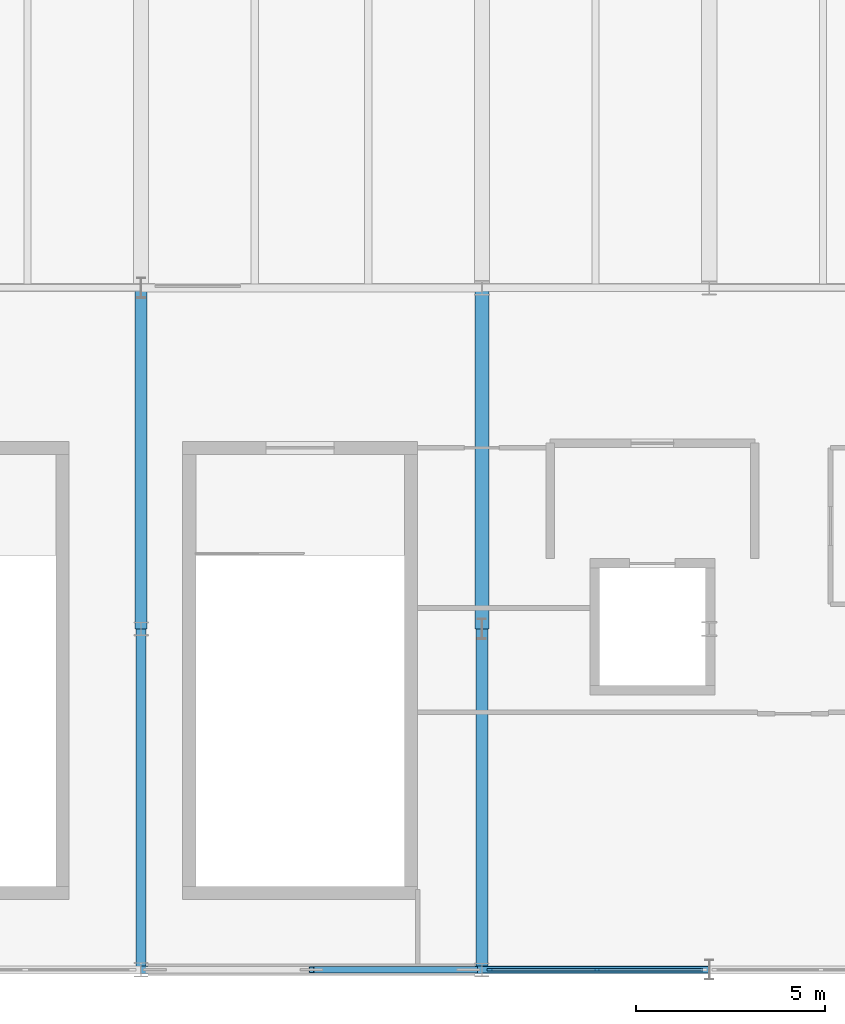
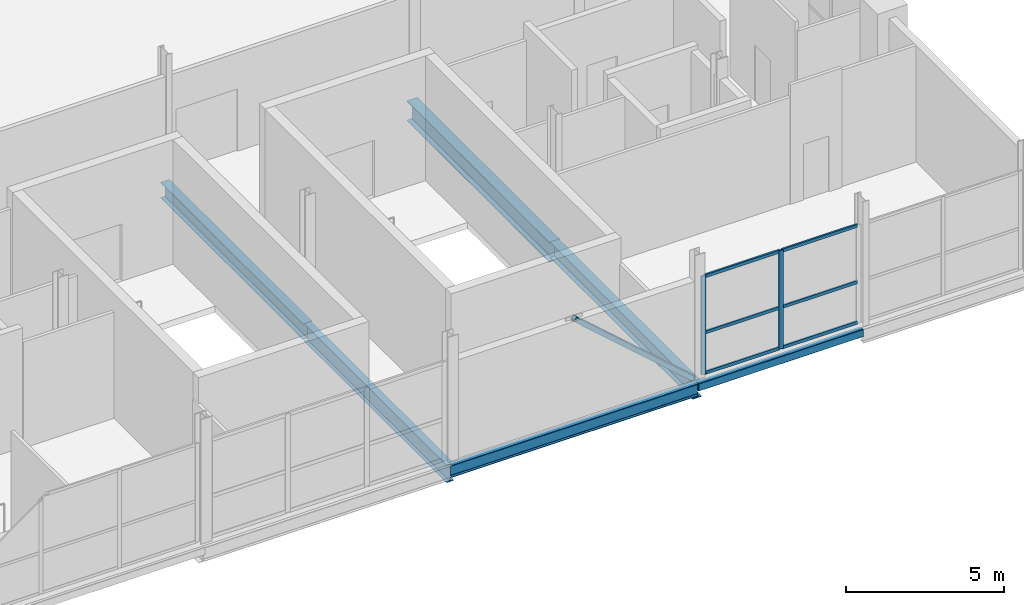
# One storey, part 7 of 29: 9 members, 6 beams, 1 element without a shape of its own.
"""IFC4 building model written with IfcOpenShell, lengths in metres."""

from ifc_helpers import new_model, si_unit, direction, frame, origin, origin_2d, place, context, subcontext, project, spatial, rectangle, hollow_rectangle, i_section, extrude, material, layer, layer_set, material_profile, profile_set, type_object, element, aggregate, save


model = new_model("IFC4")

# Units and contexts
model_context = context("Model", 3, precision=1e-05, world=origin(), true_north=direction((0.0, 1.0)))
body_context = subcontext(model_context, "Body", "Model", "MODEL_VIEW")
ifc_project = project(units=[si_unit("LENGTHUNIT", "METRE"), si_unit("AREAUNIT", "SQUARE_METRE"), si_unit("VOLUMEUNIT", "CUBIC_METRE"), si_unit("PLANEANGLEUNIT", "RADIAN"), si_unit("MASSUNIT", "GRAM", prefix="KILO")], contexts=[model_context])

# Site, building, storey
site_placement = place(None, origin())
site = spatial("IfcSite", under=ifc_project, at=site_placement, CompositionType="ELEMENT")
building_placement = place(site_placement, origin())
building = spatial("IfcBuilding", under=site, at=building_placement, Name="Qamarlyn Nura Convention Centre", CompositionType="ELEMENT")
storey_placement = place(building_placement, frame((0.0, 0.0, 25.199951171875)))
storey = spatial("IfcBuildingStorey", under=building, at=storey_placement, Name="L05", CompositionType="ELEMENT", Elevation=25.199951171875)

# Beams
ifc_material_1 = material(Name="Steel ASTM A992", Category="steel")
ifc_material_profile_1 = material_profile(ifc_material_1, i_section(OverallWidth=0.323974609375, OverallDepth=0.611083984375, WebThickness=0.0126953125, FlangeThickness=0.01904296875, FilletRadius=0.01611328125, at=origin_2d()), Name="W610X155")
ifc_profile_set_1 = profile_set([ifc_material_profile_1], Name="Steel ASTM A992")
beam_type_1 = type_object("IfcBeamType", Name="BM-GIRD-610", PredefinedType="BEAM", material=ifc_profile_set_1)
for number, where, z_axis, x_axis, name in (
    (1, (171.0, 9.0, -0.54541015625), (0.0, 1.0, 0.0), (-1.0, 0.0, 0.0), "L05 girder 15 B-C"),
    (2, (180.0, 0.0, -0.54541015625), (0.0, 1.0, 0.0), (-1.0, 0.0, 0.0), "L05 girder 16 A-B"),
):
    element("IfcBeam", number, at=place(storey_placement, frame(where, z_axis=z_axis, x_axis=x_axis)), inside=storey, type_object=beam_type_1, Name=name, PredefinedType="BEAM", context=body_context, shape_type="SweptSolid", body=[
        extrude(i_section(OverallWidth=0.323974609375, OverallDepth=0.611083984375, WebThickness=0.0126953125, FlangeThickness=0.01904296875, FilletRadius=0.01611328125, at=origin_2d()), origin(), (0.0, 0.0, 1.0), 9.0),
    ])
ifc_material_profile_2 = material_profile(ifc_material_1, i_section(OverallWidth=0.25390625, OverallDepth=0.68408203125, WebThickness=0.012451171875, FlangeThickness=0.01904296875, FilletRadius=0.01806640625, at=origin_2d()), Name="W690X140")
ifc_profile_set_2 = profile_set([ifc_material_profile_2], Name="Steel ASTM A992")
beam_type_2 = type_object("IfcBeamType", Name="BM-GIRD-690B", PredefinedType="BEAM", material=ifc_profile_set_2)
beam_1_placement = place(storey_placement, frame((171.0, 0.0, -0.58203125), z_axis=(0.0, 1.0, 0.0), x_axis=(-1.0, 0.0, 0.0)))
element("IfcBeam", 3, at=beam_1_placement, inside=storey, type_object=beam_type_2, Name="L05 girder 15 A-B", PredefinedType="BEAM", context=body_context, shape_type="SweptSolid", body=[
    extrude(i_section(OverallWidth=0.25390625, OverallDepth=0.68408203125, WebThickness=0.012451171875, FlangeThickness=0.01904296875, FilletRadius=0.01806640625, at=origin_2d()), origin(), (0.0, 0.0, 1.0), 9.0),
])
ifc_material_profile_3 = material_profile(ifc_material_1, i_section(OverallWidth=0.381103515625, OverallDepth=0.77294921875, WebThickness=0.0166015625, FlangeThickness=0.027587890625, FilletRadius=0.02001953125, at=origin_2d()), Name="W760X257")
ifc_profile_set_3 = profile_set([ifc_material_profile_3], Name="Steel ASTM A992")
beam_type_3 = type_object("IfcBeamType", Name="BM-GIRD-760", PredefinedType="BEAM", material=ifc_profile_set_3)
beam_2_placement = place(storey_placement, frame((180.0, 9.0, -0.62646484375), z_axis=(0.0, 1.0, 0.0), x_axis=(-1.0, 0.0, 0.0)))
element("IfcBeam", 4, at=beam_2_placement, inside=storey, type_object=beam_type_3, Name="L05 girder 16 B-C", PredefinedType="BEAM", context=body_context, shape_type="SweptSolid", body=[
    extrude(i_section(OverallWidth=0.381103515625, OverallDepth=0.77294921875, WebThickness=0.0166015625, FlangeThickness=0.027587890625, FilletRadius=0.02001953125, at=origin_2d()), origin(), (0.0, 0.0, 1.0), 9.0),
])
ifc_material_profile_4 = material_profile(ifc_material_1, i_section(OverallWidth=0.193115234375, OverallDepth=0.466064453125, WebThickness=0.011474609375, FlangeThickness=0.01904296875, FilletRadius=0.012939453125, at=origin_2d()), Name="W460X97")
ifc_profile_set_4 = profile_set([ifc_material_profile_4], Name="Steel ASTM A992")
beam_type_4 = type_object("IfcBeamType", Name="BM-SPAN-460", PredefinedType="SPANDREL", material=ifc_profile_set_4)
beam_3_placement = place(storey_placement, frame((171.0, 0.0, -0.472900390625), z_axis=(1.0, 0.0, 0.0), x_axis=(0.0, 1.0, 0.0)))
element("IfcBeam", 5, at=beam_3_placement, inside=storey, type_object=beam_type_4, Name="L05 girder A 15-16", PredefinedType="SPANDREL", context=body_context, shape_type="SweptSolid", body=[
    extrude(i_section(OverallWidth=0.193115234375, OverallDepth=0.466064453125, WebThickness=0.011474609375, FlangeThickness=0.01904296875, FilletRadius=0.012939453125, at=origin_2d()), origin(), (0.0, 0.0, 1.0), 9.0),
])
ifc_material_2 = material(Name="Steel ASTM A500 Grade C", Category="steel")
ifc_material_profile_5 = material_profile(ifc_material_2, hollow_rectangle(XDim=0.199951171875, YDim=0.300048828125, WallThickness=0.012451171875, InnerFilletRadius=0.012451171875, OuterFilletRadius=0.02490234375, at=origin_2d()), Name="HSS300X200X12.5")
ifc_profile_set_5 = profile_set([ifc_material_profile_5], Name="Steel ASTM A500 Grade C")
beam_type_5 = type_object("IfcBeamType", Name="BM-SPAN-HSS", PredefinedType="SPANDREL", material=ifc_profile_set_5)
beam_4_placement = place(storey_placement, frame((180.0, 0.0, -0.389892578125), z_axis=(1.0, 0.0, 0.0), x_axis=(0.0, 1.0, 0.0)))
element("IfcBeam", 6, at=beam_4_placement, inside=storey, type_object=beam_type_5, Name="L05 girder A 16-17", PredefinedType="SPANDREL", context=body_context, shape_type="SweptSolid", body=[
    extrude(hollow_rectangle(XDim=0.199951171875, YDim=0.300048828125, WallThickness=0.012451171875, InnerFilletRadius=0.012451171875, OuterFilletRadius=0.02490234375, at=origin_2d()), origin(), (0.0, 0.0, 1.0), 6.0),
])

# Member
ifc_material_profile_6 = material_profile(ifc_material_2, hollow_rectangle(XDim=0.179931640625, YDim=0.179931640625, WallThickness=0.008056640625, InnerFilletRadius=0.008056640625, OuterFilletRadius=0.01611328125, at=origin_2d()), Name="HSS180X180X8")
ifc_profile_set_6 = profile_set([ifc_material_profile_6], Name="Steel ASTM A500 Grade C")
member_type_1 = type_object("IfcMemberType", Name="CBF-BRC-180", PredefinedType="BRACE", material=ifc_profile_set_6)
member_1_placement = place(storey_placement, frame((179.820068359375, 0.0, 0.0), z_axis=(-0.750074081098, 0.0, 0.661353818213), x_axis=(0.0, -1.0, 0.0)))
element("IfcMember", 7, at=member_1_placement, inside=storey, type_object=member_type_1, Name="L05 SCBF chevron brace CBF-E1R", PredefinedType="BRACE", context=body_context, shape_type="SweptSolid", body=[
    extrude(hollow_rectangle(XDim=0.179931640625, YDim=0.179931640625, WallThickness=0.008056640625, InnerFilletRadius=0.008056640625, OuterFilletRadius=0.01611328125, at=origin_2d()), origin(), (0.0, 0.0, 1.0), 5.759521484375),
])

# Curtain wall, members
ifc_material_3 = material(Name="Double-silver low-E insulated glass", Category="glass")
ifc_layer = layer(ifc_material_3, 0.179931640625, Name="CW-UNIT-157")
ifc_layer_set = layer_set([ifc_layer], Name="Double-silver low-E insulated glass")
curtain_wall_type = type_object("IfcCurtainWallType", Name="CW-UNIT-157", PredefinedType="NOTDEFINED", material=ifc_layer_set)
curtain_wall_placement = place(storey_placement, origin())
curtain_wall = element("IfcCurtainWall", 8, at=curtain_wall_placement, inside=storey, type_object=curtain_wall_type, Name="L05 unitised curtain wall STH-4-1", PredefinedType="NOTDEFINED")
ifc_material_4 = material(Name="Champagne-anodised marine aluminium", Category="aluminium")
ifc_material_profile_7 = material_profile(ifc_material_4, rectangle(XDim=0.06494140625, YDim=0.159912109375, at=origin_2d()), Name="ALU MULLION 65x160")
ifc_profile_set_7 = profile_set([ifc_material_profile_7], Name="Champagne-anodised marine aluminium")
member_type_2 = type_object("IfcMemberType", Name="CWM-160", PredefinedType="MULLION", material=ifc_profile_set_7)
member_2_placement = place(storey_placement, frame((183.03955078125, 0.0, 0.0), z_axis=(0.0, 0.0, 1.0), x_axis=(0.0, -1.0, 0.0)))
member_2 = element("IfcMember", 9, at=member_2_placement, type_object=member_type_2, Name="CW157 mullion 2", PredefinedType="MULLION", context=body_context, shape_type="SweptSolid", body=[
    extrude(rectangle(XDim=0.06494140625, YDim=0.159912109375, at=origin_2d()), origin(), (0.0, 0.0, 1.0), 3.7939453125),
])
member_3_placement = place(storey_placement, frame((180.217041015625, 0.0, 0.0), z_axis=(0.0, 0.0, 1.0), x_axis=(0.0, -1.0, 0.0)))
member_3 = element("IfcMember", 10, at=member_3_placement, type_object=member_type_2, Name="CW157 mullion 3", PredefinedType="MULLION", context=body_context, shape_type="SweptSolid", body=[
    extrude(rectangle(XDim=0.06494140625, YDim=0.159912109375, at=origin_2d()), origin(), (0.0, 0.0, 1.0), 3.7939453125),
])
ifc_material_profile_8 = material_profile(ifc_material_4, rectangle(XDim=0.06494140625, YDim=0.1201171875, at=origin_2d()), Name="ALU TRANSOM 65x120")
ifc_profile_set_8 = profile_set([ifc_material_profile_8], Name="Champagne-anodised marine aluminium")
member_type_3 = type_object("IfcMemberType", Name="CWT-120", PredefinedType="USERDEFINED", material=ifc_profile_set_8)
member_4_placement = place(storey_placement, frame((185.82958984375, 0.0, 0.032470703125), z_axis=(-1.0, 0.0, 0.0), x_axis=(0.0, -1.0, 0.0)))
member_4 = element("IfcMember", 11, at=member_4_placement, type_object=member_type_3, Name="CW157 transom 1.1", ObjectType="TRANSOM", PredefinedType="USERDEFINED", context=body_context, shape_type="SweptSolid", body=[
    extrude(rectangle(XDim=0.06494140625, YDim=0.1201171875, at=origin_2d()), origin(), (0.0, 0.0, 1.0), 2.757568359375),
])
member_5_placement = place(storey_placement, frame((185.82958984375, 0.0, 1.593017578125), z_axis=(-1.0, 0.0, 0.0), x_axis=(0.0, -1.0, 0.0)))
member_5 = element("IfcMember", 12, at=member_5_placement, type_object=member_type_3, Name="CW157 transom 1.2", ObjectType="TRANSOM", PredefinedType="USERDEFINED", context=body_context, shape_type="SweptSolid", body=[
    extrude(rectangle(XDim=0.06494140625, YDim=0.1201171875, at=origin_2d()), origin(), (0.0, 0.0, 1.0), 2.757568359375),
])
member_6_placement = place(storey_placement, frame((185.82958984375, 0.0, 3.761474609375), z_axis=(-1.0, 0.0, 0.0), x_axis=(0.0, -1.0, 0.0)))
member_6 = element("IfcMember", 13, at=member_6_placement, type_object=member_type_3, Name="CW157 transom 1.3", ObjectType="TRANSOM", PredefinedType="USERDEFINED", context=body_context, shape_type="SweptSolid", body=[
    extrude(rectangle(XDim=0.06494140625, YDim=0.1201171875, at=origin_2d()), origin(), (0.0, 0.0, 1.0), 2.757568359375),
])
member_7_placement = place(storey_placement, frame((183.007080078125, 0.0, 0.032470703125), z_axis=(-1.0, 0.0, 0.0), x_axis=(0.0, -1.0, 0.0)))
member_7 = element("IfcMember", 14, at=member_7_placement, type_object=member_type_3, Name="CW157 transom 2.1", ObjectType="TRANSOM", PredefinedType="USERDEFINED", context=body_context, shape_type="SweptSolid", body=[
    extrude(rectangle(XDim=0.06494140625, YDim=0.1201171875, at=origin_2d()), origin(), (0.0, 0.0, 1.0), 2.757568359375),
])
member_8_placement = place(storey_placement, frame((183.007080078125, 0.0, 1.593017578125), z_axis=(-1.0, 0.0, 0.0), x_axis=(0.0, -1.0, 0.0)))
member_8 = element("IfcMember", 15, at=member_8_placement, type_object=member_type_3, Name="CW157 transom 2.2", ObjectType="TRANSOM", PredefinedType="USERDEFINED", context=body_context, shape_type="SweptSolid", body=[
    extrude(rectangle(XDim=0.06494140625, YDim=0.1201171875, at=origin_2d()), origin(), (0.0, 0.0, 1.0), 2.757568359375),
])
member_9_placement = place(storey_placement, frame((183.007080078125, 0.0, 3.761474609375), z_axis=(-1.0, 0.0, 0.0), x_axis=(0.0, -1.0, 0.0)))
member_9 = element("IfcMember", 16, at=member_9_placement, type_object=member_type_3, Name="CW157 transom 2.3", ObjectType="TRANSOM", PredefinedType="USERDEFINED", context=body_context, shape_type="SweptSolid", body=[
    extrude(rectangle(XDim=0.06494140625, YDim=0.1201171875, at=origin_2d()), origin(), (0.0, 0.0, 1.0), 2.757568359375),
])
aggregate(curtain_wall, [member_2, member_3, member_4, member_5, member_6, member_7, member_8, member_9])

save(model, "model.ifc")
